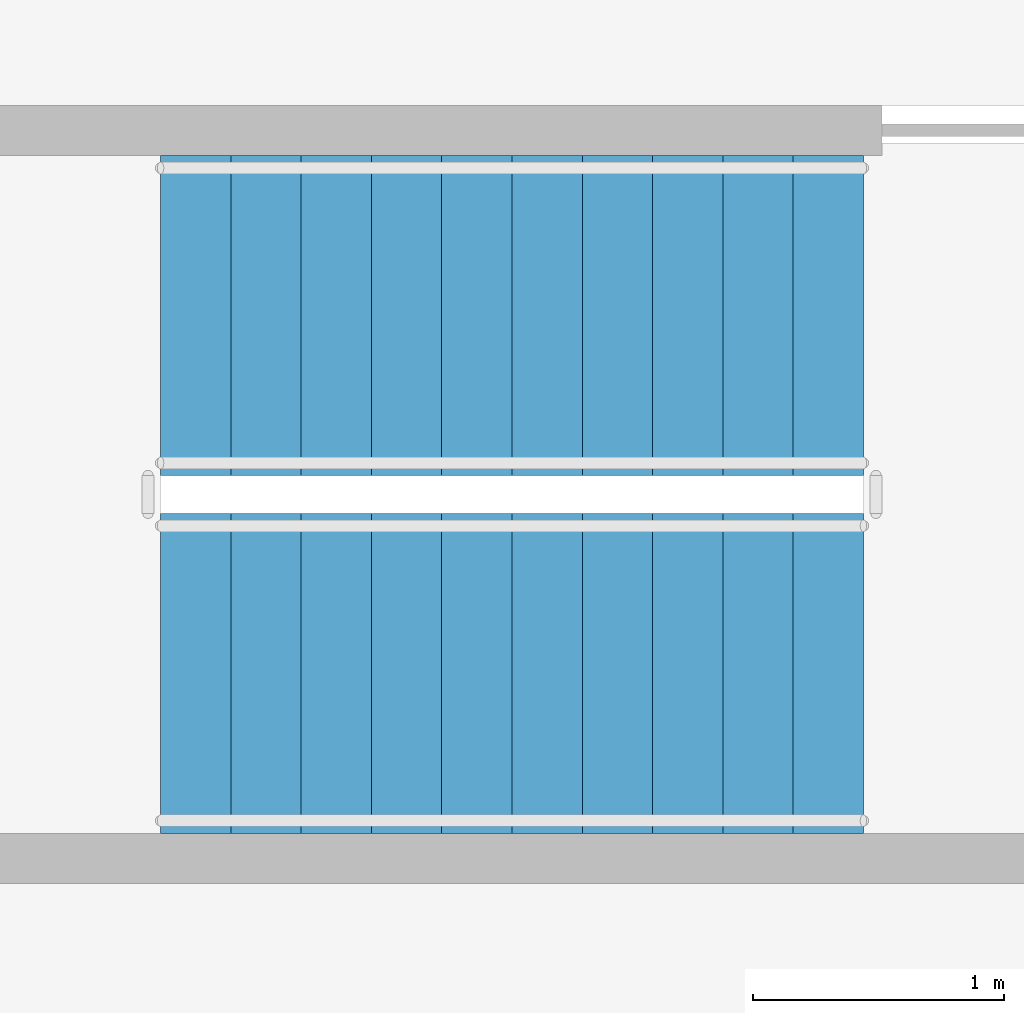
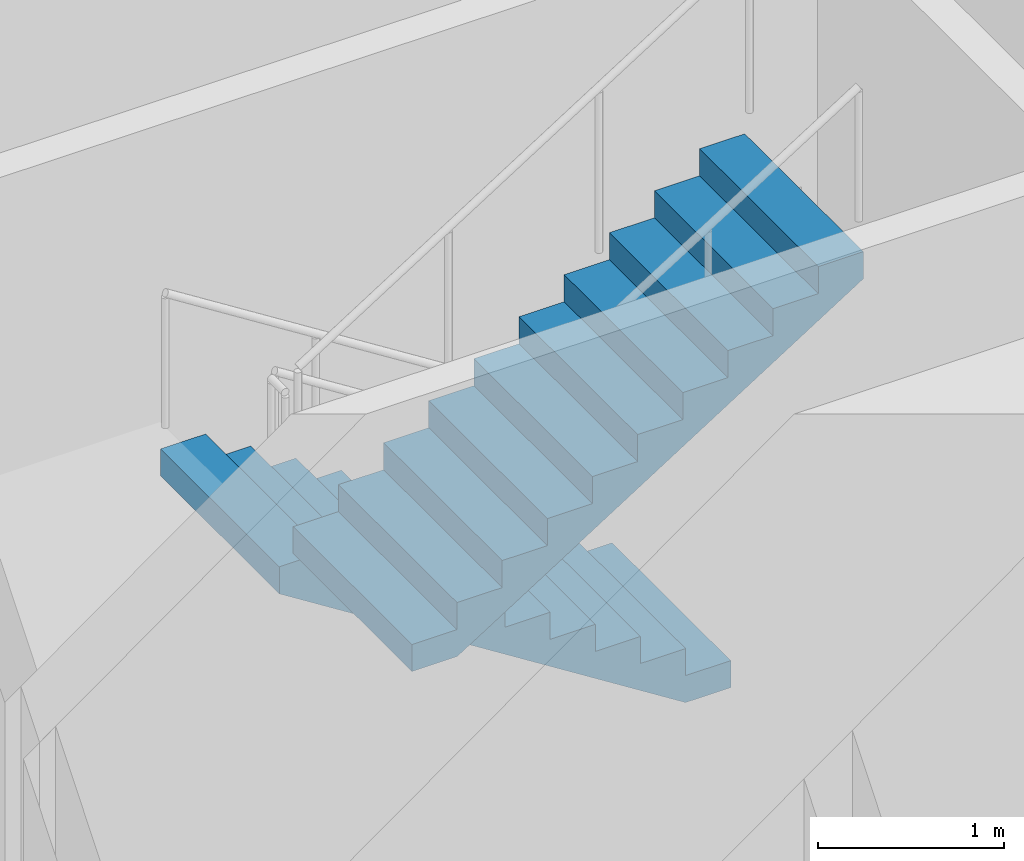
# One storey, part 14 of 19: 2 stair flights, 1 element without a shape of its own.
"""IFC4 building model written with IfcOpenShell, lengths in metres."""

from ifc_helpers import new_model, si_unit, direction, frame, origin, place, context, subcontext, project, spatial, polyline, outline, extrude, material, type_object, element, aggregate, save


model = new_model("IFC4")

# Units and contexts
model_context = context("Model", 3, precision=1e-05, world=origin(), true_north=direction((0.0, 1.0)))
body_context = subcontext(model_context, "Body", "Model", "MODEL_VIEW")
ifc_project = project(units=[si_unit("LENGTHUNIT", "METRE"), si_unit("AREAUNIT", "SQUARE_METRE"), si_unit("VOLUMEUNIT", "CUBIC_METRE"), si_unit("PLANEANGLEUNIT", "RADIAN"), si_unit("MASSUNIT", "GRAM", prefix="KILO")], contexts=[model_context])

# Site, building, storey
site_placement = place(None, origin())
site = spatial("IfcSite", under=ifc_project, at=site_placement, CompositionType="ELEMENT")
building_placement = place(site_placement, origin())
building = spatial("IfcBuilding", under=site, at=building_placement, Name="Tskaro Facet Tower", CompositionType="ELEMENT")
storey_placement = place(building_placement, frame((0.0, 0.0, 105.0)))
storey = spatial("IfcBuildingStorey", under=building, at=storey_placement, Name="L25", CompositionType="ELEMENT", Elevation=105.0)

# Stair, stair flights
ifc_material = material(Name="Concrete C40/50", Category="concrete")
stair_type = type_object("IfcStairType", Name="ST-TWR", PredefinedType="HALF_TURN_STAIR", material=ifc_material)
stair_placement = place(storey_placement, origin())
stair = element("IfcStair", 1, at=stair_placement, inside=storey, type_object=stair_type, Name="L25 Exit stair 3", PredefinedType="HALF_TURN_STAIR")
stair_flight_type = type_object("IfcStairFlightType", Name="SFL-RC", PredefinedType="STRAIGHT", material=ifc_material)
stair_flight_1_placement = place(storey_placement, frame((-2.02490234375, 7.5625, 0.0), z_axis=(0.0, 0.0, 1.0), x_axis=(-1.0, 0.0, 0.0)))
stair_flight_1 = element("IfcStairFlight", 2, at=stair_flight_1_placement, type_object=stair_flight_type, Name="ST-3 flight 1", NumberOfRisers=11, NumberOfTreads=10, PredefinedType="STRAIGHT", RiserHeight=0.177272727, TreadLength=0.28, context=body_context, shape_type="SweptSolid", body=[
    extrude(outline(polyline([(0.0, 0.0), (0.0, 0.17724609375), (0.280029296875, 0.17724609375), (0.280029296875, 0.3544921875), (0.56005859375, 0.3544921875), (0.56005859375, 0.53173828125), (0.840087890625, 0.53173828125), (0.840087890625, 0.708984375), (1.1201171875, 0.708984375), (1.1201171875, 0.886474609375), (1.39990234375, 0.886474609375), (1.39990234375, 1.063720703125), (1.679931640625, 1.063720703125), (1.679931640625, 1.240966796875), (1.9599609375, 1.240966796875), (1.9599609375, 1.418212890625), (2.239990234375, 1.418212890625), (2.239990234375, 1.595458984375), (2.52001953125, 1.595458984375), (2.52001953125, 1.772705078125), (2.800048828125, 1.772705078125), (2.800048828125, 1.949951171875), (2.800048828125, 1.59521484375), (0.2802734375, 0.0), (0.0, 0.0)])), frame((0.0, 0.637451171875, 0.0), z_axis=(0.0, -1.0, 0.0), x_axis=(1.0, 0.0, 0.0)), (0.0, 0.0, 1.0), 1.27490234375),
])
stair_flight_2_placement = place(storey_placement, frame((-4.824951171875, 6.137451171875, 1.949951171875), z_axis=(0.0, 0.0, 1.0), x_axis=(1.0, 0.0, 0.0)))
stair_flight_2 = element("IfcStairFlight", 3, at=stair_flight_2_placement, type_object=stair_flight_type, Name="ST-3 flight 2", NumberOfRisers=11, NumberOfTreads=10, PredefinedType="STRAIGHT", RiserHeight=0.177272727, TreadLength=0.28, context=body_context, shape_type="SweptSolid", body=[
    extrude(outline(polyline([(0.0, 0.0), (0.0, 0.17724609375), (0.280029296875, 0.17724609375), (0.280029296875, 0.3544921875), (0.56005859375, 0.3544921875), (0.56005859375, 0.53173828125), (0.840087890625, 0.53173828125), (0.840087890625, 0.708984375), (1.1201171875, 0.708984375), (1.1201171875, 0.886474609375), (1.39990234375, 0.886474609375), (1.39990234375, 1.063720703125), (1.679931640625, 1.063720703125), (1.679931640625, 1.240966796875), (1.9599609375, 1.240966796875), (1.9599609375, 1.418212890625), (2.239990234375, 1.418212890625), (2.239990234375, 1.595458984375), (2.52001953125, 1.595458984375), (2.52001953125, 1.772705078125), (2.800048828125, 1.772705078125), (2.800048828125, 1.949951171875), (2.800048828125, 1.59521484375), (0.2802734375, 0.0), (0.0, 0.0)])), frame((0.0, 0.637451171875, 0.0), z_axis=(0.0, -1.0, 0.0), x_axis=(1.0, 0.0, 0.0)), (0.0, 0.0, 1.0), 1.27490234375),
])
aggregate(stair, [stair_flight_1, stair_flight_2])

save(model, "model.ifc")
